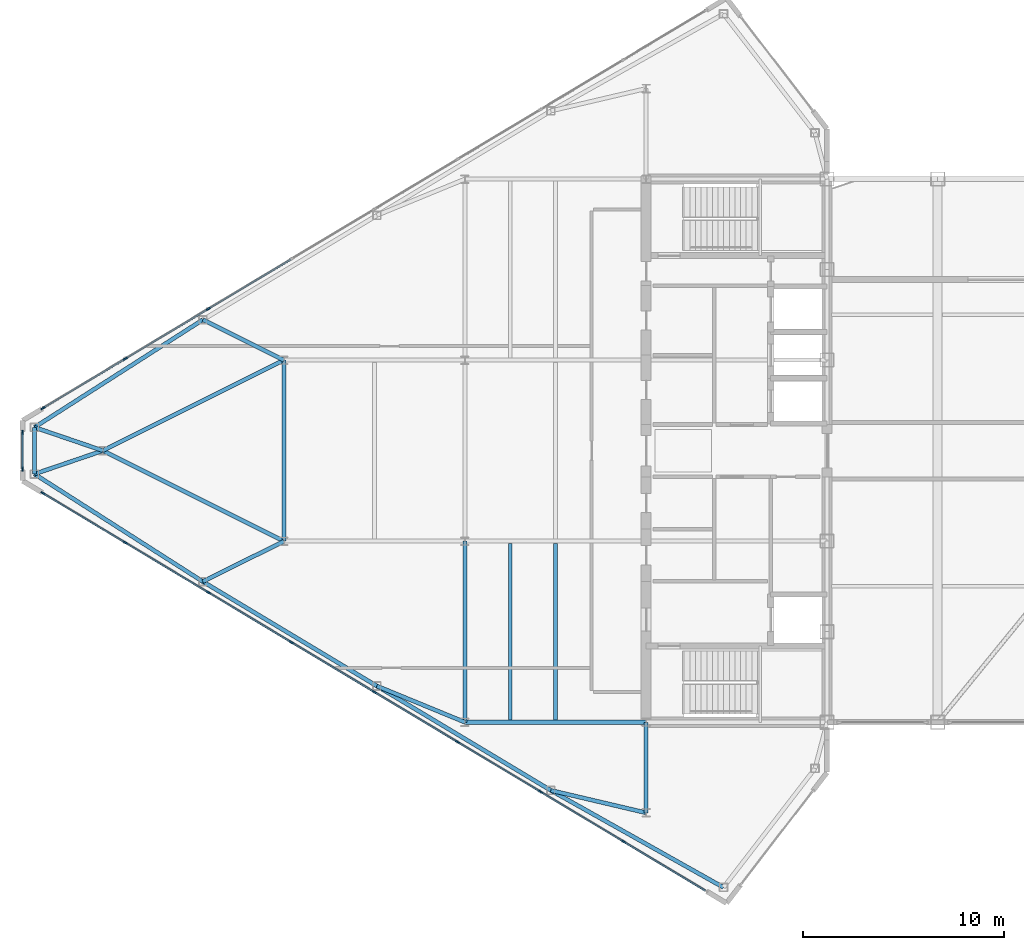
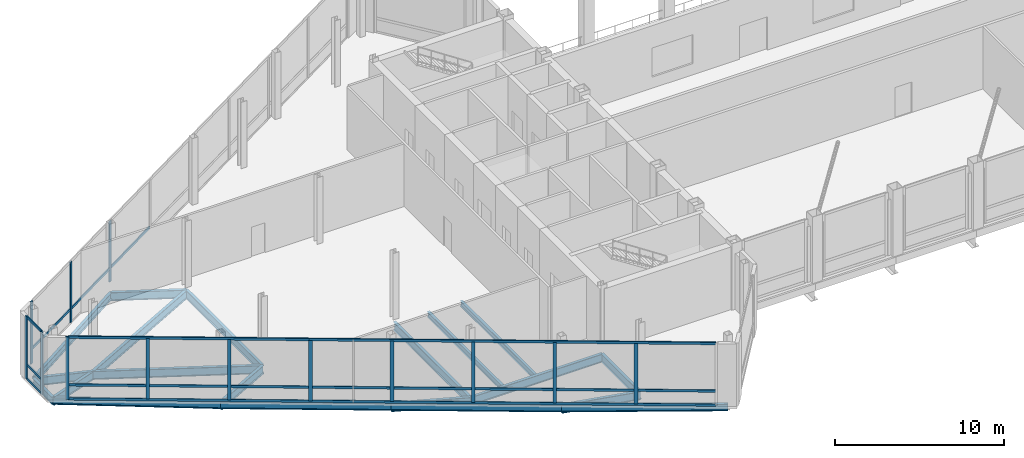
# One storey, part 8 of 28: 29 members, 20 beams, 3 elements without a shape of their own.
"""IFC4 building model written with IfcOpenShell, lengths in metres."""

from ifc_helpers import new_model, si_unit, direction, frame, origin, origin_2d, place, context, subcontext, project, spatial, rectangle, i_section, extrude, source, transform, mapped, material, layer, layer_set, material_profile, profile_set, type_object, type_shapes, element, aggregate, save


model = new_model("IFC4")

# Units and contexts
model_context = context("Model", 3, precision=1e-05, world=origin(), true_north=direction((0.0, 1.0)))
body_context = subcontext(model_context, "Body", "Model", "MODEL_VIEW")
ifc_project = project(units=[si_unit("LENGTHUNIT", "METRE"), si_unit("AREAUNIT", "SQUARE_METRE"), si_unit("VOLUMEUNIT", "CUBIC_METRE"), si_unit("PLANEANGLEUNIT", "RADIAN"), si_unit("MASSUNIT", "GRAM", prefix="KILO")], contexts=[model_context])

# Site, building, storey
site_placement = place(None, origin())
site = spatial("IfcSite", under=ifc_project, at=site_placement, CompositionType="ELEMENT")
building_placement = place(site_placement, origin())
building = spatial("IfcBuilding", under=site, at=building_placement, Name="Seokmaru Belvedere", CompositionType="ELEMENT")
storey_placement = place(building_placement, frame((0.0, 0.0, 274.199951171875)))
storey = spatial("IfcBuildingStorey", under=building, at=storey_placement, Name="L72", CompositionType="ELEMENT", Elevation=274.199951171875)

# Beams
ifc_material_1 = material(Name="Steel SM355 (355 MPa)", Category="steel")
ifc_material_profile_1 = material_profile(ifc_material_1, i_section(OverallWidth=0.199951171875, OverallDepth=0.60009765625, WebThickness=0.010986328125, FlangeThickness=0.01708984375, at=origin_2d()), Name="H-600x200x11x17")
ifc_profile_set_1 = profile_set([ifc_material_profile_1], Name="Steel SM355 (355 MPa)")
beam_type_1 = type_object("IfcBeamType", Name="Primary Floor Girder H-600", PredefinedType="BEAM", material=ifc_profile_set_1)
shared_shape_1 = source(origin(), body_context, "Body", "SweptSolid", [
    extrude(i_section(OverallWidth=0.199951171875, OverallDepth=0.60009765625, WebThickness=0.010986328125, FlangeThickness=0.01708984375, at=origin_2d()), origin(), (0.0, 0.0, 1.0), 9.0),
])
for number, where, z_axis, x_axis, name in (
    (1, (-45.5, -13.5, -0.56005859375), (0.0, 1.0, 0.0), (-1.0, 0.0, 0.0), "L72 W Interior Grid Girder 1"),
    (2, (-45.5, -13.5, -0.56005859375), (1.0, 0.0, 0.0), (0.0, 1.0, 0.0), "L72 W Wing Primary Girder 1"),
    (3, (-54.5, -4.5, -0.56005859375), (0.0, 1.0, 0.0), (-1.0, 0.0, 0.0), "L72 W Apex Frame Girder"),
):
    element("IfcBeam", number, at=place(storey_placement, frame(where, z_axis=z_axis, x_axis=x_axis)), inside=storey, type_object=beam_type_1, Name=name, PredefinedType="BEAM", context=body_context, shape_type="MappedRepresentation", body=[
        mapped(shared_shape_1, transform((0.0, 0.0, 0.0), scale=1.0)),
    ])
shared_shape_2 = source(origin(), body_context, "Body", "SweptSolid", [
    extrude(i_section(OverallWidth=0.199951171875, OverallDepth=0.60009765625, WebThickness=0.010986328125, FlangeThickness=0.01708984375, at=origin_2d()), origin(), (0.0, 0.0, 1.0), 10.062255859375),
])
for number, where, z_axis, x_axis, name in (
    (4, (-54.5, -4.5, -0.56005859375), (-0.894427191, 0.4472135955, 0.0), (-0.4472135955, -0.894427191, 0.0), "L72 W Apex Converging Girder 1"),
    (5, (-54.5, 4.5, -0.56005859375), (-0.894427191, -0.4472135955, 0.0), (0.4472135955, -0.894427191, 0.0), "L72 W Apex Converging Girder 2"),
):
    element("IfcBeam", number, at=place(storey_placement, frame(where, z_axis=z_axis, x_axis=x_axis)), inside=storey, type_object=beam_type_1, Name=name, PredefinedType="BEAM", context=body_context, shape_type="MappedRepresentation", body=[
        mapped(shared_shape_2, transform((0.0, 0.0, 0.0), scale=1.0)),
    ])
ifc_material_profile_2 = material_profile(ifc_material_1, i_section(OverallWidth=0.18505859375, OverallDepth=0.389892578125, WebThickness=0.008056640625, FlangeThickness=0.011962890625, at=origin_2d()), Name="H-390x185x8x12")
ifc_profile_set_2 = profile_set([ifc_material_profile_2], Name="Steel SM355 (355 MPa)")
beam_type_2 = type_object("IfcBeamType", Name="Secondary Floor Joist H-350", PredefinedType="JOIST", material=ifc_profile_set_2)
shared_shape_3 = source(origin(), body_context, "Body", "SweptSolid", [
    extrude(i_section(OverallWidth=0.18505859375, OverallDepth=0.389892578125, WebThickness=0.008056640625, FlangeThickness=0.011962890625, at=origin_2d()), origin(), (0.0, 0.0, 1.0), 8.7900390625),
])
type_shapes(beam_type_2, [shared_shape_3])
for number, where, z_axis, x_axis, name in (
    (6, (-43.25, -13.39501953125, -0.454833984375), (0.0, 1.0, 0.0), (-1.0, 0.0, 0.0), "L72 W Wing Inner Secondary Joist 1"),
    (7, (-41.0, -13.39501953125, -0.454833984375), (0.0, 1.0, 0.0), (-1.0, 0.0, 0.0), "L72 W Secondary Floor Joist 1"),
):
    element("IfcBeam", number, at=place(storey_placement, frame(where, z_axis=z_axis, x_axis=x_axis)), inside=storey, type_object=beam_type_2, Name=name, PredefinedType="JOIST", context=body_context, shape_type="MappedRepresentation", body=[
        mapped(shared_shape_3, transform((0.0, 0.0, 0.0), scale=1.0)),
    ])
shared_shape_4 = source(origin(), body_context, "Body", "SweptSolid", [
    extrude(i_section(OverallWidth=0.199951171875, OverallDepth=0.60009765625, WebThickness=0.010986328125, FlangeThickness=0.01708984375, at=origin_2d()), origin(), (0.0, 0.0, 1.0), 4.5),
])
beam_1_placement = place(storey_placement, frame((-36.5, -18.0, -0.56005859375), z_axis=(0.0, 1.0, 0.0), x_axis=(-1.0, 0.0, 0.0)))
element("IfcBeam", 8, at=beam_1_placement, inside=storey, type_object=beam_type_1, Name="L72 W Core Shoulder Girder S", PredefinedType="BEAM", context=body_context, shape_type="MappedRepresentation", body=[
    mapped(shared_shape_4, transform((0.0, 0.0, 0.0), scale=1.0)),
])
ifc_material_profile_3 = material_profile(ifc_material_1, i_section(OverallWidth=0.199951171875, OverallDepth=0.5, WebThickness=0.010009765625, FlangeThickness=0.01611328125, at=origin_2d()), Name="H-500x200x10x16")
ifc_profile_set_3 = profile_set([ifc_material_profile_3], Name="Steel SM355 (355 MPa)")
beam_type_3 = type_object("IfcBeamType", Name="Perimeter Spandrel Beam H-500", PredefinedType="SPANDREL", material=ifc_profile_set_3)
shared_shape_5 = source(origin(), body_context, "Body", "SweptSolid", [
    extrude(i_section(OverallWidth=0.199951171875, OverallDepth=0.5, WebThickness=0.010009765625, FlangeThickness=0.01611328125, at=origin_2d()), origin(), (0.0, 0.0, 1.0), 9.842041015625),
])
beam_2_placement = place(storey_placement, frame((-32.649658203125, -21.71044921875, -0.510009765625), z_axis=(-0.871782151818, 0.489893743349, 0.0), x_axis=(-0.489893743349, -0.871782151818, 0.0)))
element("IfcBeam", 9, at=beam_2_placement, inside=storey, type_object=beam_type_3, Name="L72 W Faceted Flank Spandrel S-1", PredefinedType="SPANDREL", context=body_context, shape_type="MappedRepresentation", body=[
    mapped(shared_shape_5, transform((0.0, 0.0, 0.0), scale=1.0)),
])
shared_shape_6 = source(origin(), body_context, "Body", "SweptSolid", [
    extrude(i_section(OverallWidth=0.199951171875, OverallDepth=0.5, WebThickness=0.010009765625, FlangeThickness=0.01611328125, at=origin_2d()), origin(), (0.0, 0.0, 1.0), 10.087646484375),
])
for number, where, z_axis, x_axis, name in (
    (10, (-41.229736328125, -16.888916015625, -0.510009765625), (-0.857499332045, 0.514485078056, 0.0), (-0.514485078056, -0.857499332045, 0.0), "L72 W Faceted Flank Spandrel S-2"),
    (11, (-49.8798828125, -11.698974609375, -0.510009765625), (-0.857488654804, 0.514502873542, 0.0), (-0.514502873542, -0.857488654804, 0.0), "L72 W Faceted Flank Spandrel S-3"),
):
    element("IfcBeam", number, at=place(storey_placement, frame(where, z_axis=z_axis, x_axis=x_axis)), inside=storey, type_object=beam_type_3, Name=name, PredefinedType="SPANDREL", context=body_context, shape_type="MappedRepresentation", body=[
        mapped(shared_shape_6, transform((0.0, 0.0, 0.0), scale=1.0)),
    ])
shared_shape_7 = source(origin(), body_context, "Body", "SweptSolid", [
    extrude(i_section(OverallWidth=0.199951171875, OverallDepth=0.5, WebThickness=0.010009765625, FlangeThickness=0.01611328125, at=origin_2d()), origin(), (0.0, 0.0, 1.0), 9.932861328125),
])
for number, where, z_axis, x_axis, name in (
    (12, (-58.530029296875, -6.5087890625, -0.510009765625), (-0.842651960357, 0.538458609093, 0.0), (-0.538458609093, -0.842651960357, 0.0), "L72 W Faceted Flank Spandrel S-4"),
    (13, (-58.530029296875, 6.5087890625, -0.510009765625), (-0.842651960357, -0.538458609093, 0.0), (0.538458609093, -0.842651960357, 0.0), "L72 W Faceted Flank Spandrel N-4"),
):
    element("IfcBeam", number, at=place(storey_placement, frame(where, z_axis=z_axis, x_axis=x_axis)), inside=storey, type_object=beam_type_3, Name=name, PredefinedType="SPANDREL", context=body_context, shape_type="MappedRepresentation", body=[
        mapped(shared_shape_7, transform((0.0, 0.0, 0.0), scale=1.0)),
    ])
shared_shape_8 = source(origin(), body_context, "Body", "SweptSolid", [
    extrude(i_section(OverallWidth=0.199951171875, OverallDepth=0.5, WebThickness=0.010009765625, FlangeThickness=0.01611328125, at=origin_2d()), origin(), (0.0, 0.0, 1.0), 2.32080078125),
])
type_shapes(beam_type_3, [shared_shape_5, shared_shape_6, shared_shape_7, shared_shape_8])
beam_3_placement = place(storey_placement, frame((-66.89990234375, -1.160400390625, -0.510009765625), z_axis=(0.0, 1.0, 0.0), x_axis=(-1.0, 0.0, 0.0)))
element("IfcBeam", 14, at=beam_3_placement, inside=storey, type_object=beam_type_3, Name="L72 W Faceted Apex Spandrel", PredefinedType="SPANDREL", context=body_context, shape_type="MappedRepresentation", body=[
    mapped(shared_shape_8, transform((0.0, 0.0, 0.0), scale=1.0)),
])
shared_shape_9 = source(origin(), body_context, "Body", "SweptSolid", [
    extrude(i_section(OverallWidth=0.199951171875, OverallDepth=0.60009765625, WebThickness=0.010986328125, FlangeThickness=0.01708984375, at=origin_2d()), origin(), (0.0, 0.0, 1.0), 4.8583984375),
])
beam_4_placement = place(storey_placement, frame((-41.229736328125, -16.888916015625, -0.56005859375), z_axis=(0.97349948295, -0.228689214211, 0.0), x_axis=(0.228689214211, 0.97349948295, 0.0)))
element("IfcBeam", 15, at=beam_4_placement, inside=storey, type_object=beam_type_1, Name="L72 W Flank Radial Floor Girder S-1", PredefinedType="BEAM", context=body_context, shape_type="MappedRepresentation", body=[
    mapped(shared_shape_9, transform((0.0, 0.0, 0.0), scale=1.0)),
])
shared_shape_10 = source(origin(), body_context, "Body", "SweptSolid", [
    extrude(i_section(OverallWidth=0.199951171875, OverallDepth=0.60009765625, WebThickness=0.010986328125, FlangeThickness=0.01708984375, at=origin_2d()), origin(), (0.0, 0.0, 1.0), 4.73583984375),
])
beam_5_placement = place(storey_placement, frame((-49.8798828125, -11.698974609375, -0.56005859375), z_axis=(0.924860562953, -0.380306375301, 0.0), x_axis=(0.380306375301, 0.924860562953, 0.0)))
element("IfcBeam", 16, at=beam_5_placement, inside=storey, type_object=beam_type_1, Name="L72 W Flank Radial Floor Girder S-2", PredefinedType="BEAM", context=body_context, shape_type="MappedRepresentation", body=[
    mapped(shared_shape_10, transform((0.0, 0.0, 0.0), scale=1.0)),
])
shared_shape_11 = source(origin(), body_context, "Body", "SweptSolid", [
    extrude(i_section(OverallWidth=0.199951171875, OverallDepth=0.60009765625, WebThickness=0.010986328125, FlangeThickness=0.01708984375, at=origin_2d()), origin(), (0.0, 0.0, 1.0), 4.5029296875),
])
for number, where, z_axis, x_axis, name in (
    (17, (-58.530029296875, -6.5087890625, -0.56005859375), (0.894979532585, 0.446107202648, 0.0), (-0.446107202648, 0.894979532585, 0.0), "L72 W Flank Radial Floor Girder S-3"),
    (18, (-58.530029296875, 6.5087890625, -0.56005859375), (0.894979532585, -0.446107202648, 0.0), (0.446107202648, 0.894979532585, 0.0), "L72 W Flank Radial Floor Girder N-3"),
):
    element("IfcBeam", number, at=place(storey_placement, frame(where, z_axis=z_axis, x_axis=x_axis)), inside=storey, type_object=beam_type_1, Name=name, PredefinedType="BEAM", context=body_context, shape_type="MappedRepresentation", body=[
        mapped(shared_shape_11, transform((0.0, 0.0, 0.0), scale=1.0)),
    ])
shared_shape_12 = source(origin(), body_context, "Body", "SweptSolid", [
    extrude(i_section(OverallWidth=0.199951171875, OverallDepth=0.60009765625, WebThickness=0.010986328125, FlangeThickness=0.01708984375, at=origin_2d()), origin(), (0.0, 0.0, 1.0), 3.592529296875),
])
type_shapes(beam_type_1, [shared_shape_1, shared_shape_2, shared_shape_4, shared_shape_9, shared_shape_10, shared_shape_11, shared_shape_12])
for number, where, z_axis, x_axis, name in (
    (19, (-66.89990234375, -1.160400390625, -0.56005859375), (0.946395973048, 0.323008764893, 0.0), (-0.323008764893, 0.946395973048, 0.0), "L72 W Apex Radial Floor Girder 1"),
    (20, (-66.89990234375, 1.160400390625, -0.56005859375), (0.946395973048, -0.323008764893, 0.0), (0.323008764893, 0.946395973048, 0.0), "L72 W Apex Radial Floor Girder 2"),
):
    element("IfcBeam", number, at=place(storey_placement, frame(where, z_axis=z_axis, x_axis=x_axis)), inside=storey, type_object=beam_type_1, Name=name, PredefinedType="BEAM", context=body_context, shape_type="MappedRepresentation", body=[
        mapped(shared_shape_12, transform((0.0, 0.0, 0.0), scale=1.0)),
    ])

# Curtain wall, members
ifc_material_2 = material(Name="Bronze Triple Insulating Glass", Category="glass")
ifc_layer = layer(ifc_material_2, 0.219970703125)
ifc_layer_set = layer_set([ifc_layer], Name="Bronze Triple Insulating Glass")
curtain_wall_type = type_object("IfcCurtainWallType", Name="Sky-Gate Bridge Panorama Curtain Wall System CW-6", PredefinedType="NOTDEFINED", material=ifc_layer_set)
curtain_wall_1_placement = place(storey_placement, origin())
curtain_wall_1 = element("IfcCurtainWall", 21, at=curtain_wall_1_placement, inside=storey, type_object=curtain_wall_type, Name="L72 Curtain Wall WF5", PredefinedType="NOTDEFINED")
ifc_material_3 = material(Name="Anodised Bronze Aluminium", Category="aluminium")
ifc_material_profile_4 = material_profile(ifc_material_3, rectangle(XDim=0.074951171875, YDim=0.179931640625, at=origin_2d()), Name="CW-T-75x180")
ifc_profile_set_4 = profile_set([ifc_material_profile_4], Name="Anodised Bronze Aluminium")
member_type_1 = type_object("IfcMemberType", Name="Bronze Unitised Transom 75x180", PredefinedType="USERDEFINED", material=ifc_profile_set_4)
shared_shape_13 = source(origin(), body_context, "Body", "SweptSolid", [
    extrude(rectangle(XDim=0.074951171875, YDim=0.179931640625, at=origin_2d()), origin(), (0.0, 0.0, 1.0), 38.356689453125),
])
member_1_placement = place(storey_placement, frame((-66.4453125, -2.1328125, 0.03759765625), z_axis=(0.857492925713, -0.514495755428, 0.0), x_axis=(0.514495755428, 0.857492925713, 0.0)))
member_1 = element("IfcMember", 22, at=member_1_placement, type_object=member_type_1, Name="CW:L72:WF5 Continuous Transom 1", ObjectType="TRANSOM", PredefinedType="USERDEFINED", context=body_context, shape_type="MappedRepresentation", body=[
    mapped(shared_shape_13, transform((0.0, 0.0, 0.0), scale=1.0)),
])
member_2_placement = place(storey_placement, frame((-66.4453125, -2.1328125, 4.482666015625), z_axis=(0.857492925713, -0.514495755428, 0.0), x_axis=(0.514495755428, 0.857492925713, 0.0)))
member_2 = element("IfcMember", 23, at=member_2_placement, type_object=member_type_1, Name="CW:L72:WF5 Continuous Transom 2", ObjectType="TRANSOM", PredefinedType="USERDEFINED", context=body_context, shape_type="MappedRepresentation", body=[
    mapped(shared_shape_13, transform((0.0, 0.0, 0.0), scale=1.0)),
])

# Curtain wall, member
curtain_wall_2_placement = place(storey_placement, origin())
curtain_wall_2 = element("IfcCurtainWall", 24, at=curtain_wall_2_placement, inside=storey, type_object=curtain_wall_type, Name="L72 Curtain Wall WF3", PredefinedType="NOTDEFINED")
shared_shape_14 = source(origin(), body_context, "Body", "SweptSolid", [
    extrude(rectangle(XDim=0.074951171875, YDim=0.179931640625, at=origin_2d()), origin(), (0.0, 0.0, 1.0), 4.694580078125),
])
member_3_placement = place(storey_placement, frame((-62.419677734375, 4.548095703125, 1.050048828125), z_axis=(-0.85750210284, -0.514480459906, 0.0), x_axis=(0.514480459906, -0.85750210284, 0.0)))
member_3 = element("IfcMember", 25, at=member_3_placement, type_object=member_type_1, Name="CW:L72:WF3 Spandrel Transom 8", ObjectType="TRANSOM", PredefinedType="USERDEFINED", context=body_context, shape_type="MappedRepresentation", body=[
    mapped(shared_shape_14, transform((0.0, 0.0, 0.0), scale=1.0)),
])

# Member
member_4_placement = place(storey_placement, frame((-66.4453125, -2.1328125, 1.050048828125), z_axis=(0.85750210284, -0.514480459906, 0.0), x_axis=(0.514480459906, 0.85750210284, 0.0)))
member_4 = element("IfcMember", 26, at=member_4_placement, type_object=member_type_1, Name="CW:L72:WF5 Spandrel Transom 1", ObjectType="TRANSOM", PredefinedType="USERDEFINED", context=body_context, shape_type="MappedRepresentation", body=[
    mapped(shared_shape_14, transform((0.0, 0.0, 0.0), scale=1.0)),
])

member_5_placement = place(storey_placement, frame((-37.580322265625, -19.451904296875, 1.050048828125), z_axis=(0.85750210284, -0.514480459906, 0.0), x_axis=(0.514480459906, 0.85750210284, 0.0)))
member_5 = element("IfcMember", 27, at=member_5_placement, type_object=member_type_1, Name="CW:L72:WF5 Spandrel Transom 8", ObjectType="TRANSOM", PredefinedType="USERDEFINED", context=body_context, shape_type="MappedRepresentation", body=[
    mapped(shared_shape_14, transform((0.0, 0.0, 0.0), scale=1.0)),
])

shared_shape_15 = source(origin(), body_context, "Body", "SweptSolid", [
    extrude(rectangle(XDim=0.074951171875, YDim=0.179931640625, at=origin_2d()), origin(), (0.0, 0.0, 1.0), 4.734619140625),
])
member_6_placement = place(storey_placement, frame((-58.291259765625, 7.025390625, 1.050048828125), z_axis=(-0.857479275774, -0.514518504641, 0.0), x_axis=(0.514518504641, -0.857479275774, 0.0)))
member_6 = element("IfcMember", 28, at=member_6_placement, type_object=member_type_1, Name="CW:L72:WF3 Spandrel Transom 7", ObjectType="TRANSOM", PredefinedType="USERDEFINED", context=body_context, shape_type="MappedRepresentation", body=[
    mapped(shared_shape_15, transform((0.0, 0.0, 0.0), scale=1.0)),
])

member_7_placement = place(storey_placement, frame((-62.35107421875, -4.58935546875, 1.050048828125), z_axis=(0.857479275774, -0.514518504641, 0.0), x_axis=(0.514518504641, 0.857479275774, 0.0)))
member_7 = element("IfcMember", 29, at=member_7_placement, type_object=member_type_1, Name="CW:L72:WF5 Spandrel Transom 2", ObjectType="TRANSOM", PredefinedType="USERDEFINED", context=body_context, shape_type="MappedRepresentation", body=[
    mapped(shared_shape_15, transform((0.0, 0.0, 0.0), scale=1.0)),
])

member_8_placement = place(storey_placement, frame((-41.708740234375, -16.974609375, 1.050048828125), z_axis=(0.857479275774, -0.514518504641, 0.0), x_axis=(0.514518504641, 0.857479275774, 0.0)))
member_8 = element("IfcMember", 30, at=member_8_placement, type_object=member_type_1, Name="CW:L72:WF5 Spandrel Transom 7", ObjectType="TRANSOM", PredefinedType="USERDEFINED", context=body_context, shape_type="MappedRepresentation", body=[
    mapped(shared_shape_15, transform((0.0, 0.0, 0.0), scale=1.0)),
])

shared_shape_16 = source(origin(), body_context, "Body", "SweptSolid", [
    extrude(rectangle(XDim=0.074951171875, YDim=0.179931640625, at=origin_2d()), origin(), (0.0, 0.0, 1.0), 4.734375),
])
member_9_placement = place(storey_placement, frame((-54.162841796875, 9.502197265625, 1.050048828125), z_axis=(-0.857502025578, -0.514480588682, 0.0), x_axis=(0.514480588682, -0.857502025578, 0.0)))
member_9 = element("IfcMember", 31, at=member_9_placement, type_object=member_type_1, Name="CW:L72:WF3 Spandrel Transom 6", ObjectType="TRANSOM", PredefinedType="USERDEFINED", context=body_context, shape_type="MappedRepresentation", body=[
    mapped(shared_shape_16, transform((0.0, 0.0, 0.0), scale=1.0)),
])

member_10_placement = place(storey_placement, frame((-58.22265625, -7.06640625, 1.050048828125), z_axis=(0.857502025578, -0.514480588682, 0.0), x_axis=(0.514480588682, 0.857502025578, 0.0)))
member_10 = element("IfcMember", 32, at=member_10_placement, type_object=member_type_1, Name="CW:L72:WF5 Spandrel Transom 3", ObjectType="TRANSOM", PredefinedType="USERDEFINED", context=body_context, shape_type="MappedRepresentation", body=[
    mapped(shared_shape_16, transform((0.0, 0.0, 0.0), scale=1.0)),
])

member_11_placement = place(storey_placement, frame((-45.837158203125, -14.497802734375, 1.050048828125), z_axis=(0.857502025578, -0.514480588682, 0.0), x_axis=(0.514480588682, 0.857502025578, 0.0)))
member_11 = element("IfcMember", 33, at=member_11_placement, type_object=member_type_1, Name="CW:L72:WF5 Spandrel Transom 6", ObjectType="TRANSOM", PredefinedType="USERDEFINED", context=body_context, shape_type="MappedRepresentation", body=[
    mapped(shared_shape_16, transform((0.0, 0.0, 0.0), scale=1.0)),
])

shared_shape_17 = source(origin(), body_context, "Body", "SweptSolid", [
    extrude(rectangle(XDim=0.074951171875, YDim=0.179931640625, at=origin_2d()), origin(), (0.0, 0.0, 1.0), 4.73486328125),
])
member_12_placement = place(storey_placement, frame((-54.09423828125, -9.54345703125, 1.050048828125), z_axis=(0.857492925713, -0.514495755428, 0.0), x_axis=(0.514495755428, 0.857492925713, 0.0)))
member_12 = element("IfcMember", 34, at=member_12_placement, type_object=member_type_1, Name="CW:L72:WF5 Spandrel Transom 4", ObjectType="TRANSOM", PredefinedType="USERDEFINED", context=body_context, shape_type="MappedRepresentation", body=[
    mapped(shared_shape_17, transform((0.0, 0.0, 0.0), scale=1.0)),
])

member_13_placement = place(storey_placement, frame((-49.9658203125, -12.0205078125, 1.050048828125), z_axis=(0.857492925713, -0.514495755428, 0.0), x_axis=(0.514495755428, 0.857492925713, 0.0)))
member_13 = element("IfcMember", 35, at=member_13_placement, type_object=member_type_1, Name="CW:L72:WF5 Spandrel Transom 5", ObjectType="TRANSOM", PredefinedType="USERDEFINED", context=body_context, shape_type="MappedRepresentation", body=[
    mapped(shared_shape_17, transform((0.0, 0.0, 0.0), scale=1.0)),
])

# Curtain wall, members
curtain_wall_3_placement = place(storey_placement, origin())
curtain_wall_3 = element("IfcCurtainWall", 36, at=curtain_wall_3_placement, inside=storey, type_object=curtain_wall_type, Name="L72 Curtain Wall WF4", PredefinedType="NOTDEFINED")
shared_shape_18 = source(origin(), body_context, "Body", "SweptSolid", [
    extrude(rectangle(XDim=0.074951171875, YDim=0.179931640625, at=origin_2d()), origin(), (0.0, 0.0, 1.0), 1.740234375),
])
type_shapes(member_type_1, [shared_shape_13, shared_shape_14, shared_shape_15, shared_shape_16, shared_shape_17, shared_shape_18])
member_14_placement = place(storey_placement, frame((-67.5, 0.8701171875, 0.03759765625), z_axis=(0.0, -1.0, 0.0), x_axis=(1.0, 0.0, 0.0)))
member_14 = element("IfcMember", 37, at=member_14_placement, type_object=member_type_1, Name="CW:L72:WF4 Continuous Transom 1", ObjectType="TRANSOM", PredefinedType="USERDEFINED", context=body_context, shape_type="MappedRepresentation", body=[
    mapped(shared_shape_18, transform((0.0, 0.0, 0.0), scale=1.0)),
])
member_15_placement = place(storey_placement, frame((-67.5, 0.8701171875, 4.482666015625), z_axis=(0.0, -1.0, 0.0), x_axis=(1.0, 0.0, 0.0)))
member_15 = element("IfcMember", 38, at=member_15_placement, type_object=member_type_1, Name="CW:L72:WF4 Continuous Transom 2", ObjectType="TRANSOM", PredefinedType="USERDEFINED", context=body_context, shape_type="MappedRepresentation", body=[
    mapped(shared_shape_18, transform((0.0, 0.0, 0.0), scale=1.0)),
])
member_16_placement = place(storey_placement, frame((-67.5, 0.8701171875, 1.050048828125), z_axis=(0.0, -1.0, 0.0), x_axis=(1.0, 0.0, 0.0)))
member_16 = element("IfcMember", 39, at=member_16_placement, type_object=member_type_1, Name="CW:L72:WF4 Spandrel Transom 1", ObjectType="TRANSOM", PredefinedType="USERDEFINED", context=body_context, shape_type="MappedRepresentation", body=[
    mapped(shared_shape_18, transform((0.0, 0.0, 0.0), scale=1.0)),
])

# Member
ifc_material_profile_5 = material_profile(ifc_material_3, rectangle(XDim=0.080078125, YDim=0.219970703125, at=origin_2d()), Name="CW-M-80x220")
ifc_profile_set_5 = profile_set([ifc_material_profile_5], Name="Anodised Bronze Aluminium")
member_type_2 = type_object("IfcMemberType", Name="Bronze Unitised Mullion 80x220", PredefinedType="MULLION", material=ifc_profile_set_5)
shared_shape_19 = source(origin(), body_context, "Body", "SweptSolid", [
    extrude(rectangle(XDim=0.080078125, YDim=0.219970703125, at=origin_2d()), origin(), (0.0, 0.0, 1.0), 4.52001953125),
])
member_17_placement = place(storey_placement, frame((-66.4794921875, 2.1123046875, 0.0), z_axis=(0.0, 0.0, 1.0), x_axis=(0.514494909364, -0.85749343335, 0.0)))
member_17 = element("IfcMember", 40, at=member_17_placement, type_object=member_type_2, Name="CW:L72:WF3 Mullion 9", PredefinedType="MULLION", context=body_context, shape_type="MappedRepresentation", body=[
    mapped(shared_shape_19, transform((0.0, 0.0, 0.0), scale=1.0)),
])

member_18_placement = place(storey_placement, frame((-67.5, 0.909912109375, 0.0), z_axis=(0.0, 0.0, 1.0), x_axis=(1.0, 0.0, 0.0)))
member_18 = element("IfcMember", 41, at=member_18_placement, type_object=member_type_2, Name="CW:L72:WF4 Mullion 1", PredefinedType="MULLION", context=body_context, shape_type="MappedRepresentation", body=[
    mapped(shared_shape_19, transform((0.0, 0.0, 0.0), scale=1.0)),
])

member_19_placement = place(storey_placement, frame((-67.5, -0.909912109375, 0.0), z_axis=(0.0, 0.0, 1.0), x_axis=(1.0, 0.0, 0.0)))
member_19 = element("IfcMember", 42, at=member_19_placement, type_object=member_type_2, Name="CW:L72:WF4 Mullion 2", PredefinedType="MULLION", context=body_context, shape_type="MappedRepresentation", body=[
    mapped(shared_shape_19, transform((0.0, 0.0, 0.0), scale=1.0)),
])

aggregate(curtain_wall_3, [member_18, member_19, member_14, member_15, member_16])

member_20_placement = place(storey_placement, frame((-66.4794921875, -2.1123046875, 0.0), z_axis=(0.0, 0.0, 1.0), x_axis=(0.514494909364, 0.85749343335, 0.0)))
member_20 = element("IfcMember", 43, at=member_20_placement, type_object=member_type_2, Name="CW:L72:WF5 Mullion 1", PredefinedType="MULLION", context=body_context, shape_type="MappedRepresentation", body=[
    mapped(shared_shape_19, transform((0.0, 0.0, 0.0), scale=1.0)),
])

shared_shape_20 = source(origin(), body_context, "Body", "SweptSolid", [
    extrude(rectangle(XDim=0.080078125, YDim=0.219970703125, at=origin_2d()), origin(), (0.0, 0.0, 1.0), 4.3701171875),
])
type_shapes(member_type_2, [shared_shape_19, shared_shape_20])
member_21_placement = place(storey_placement, frame((-58.257080078125, 7.0458984375, 0.074951171875), z_axis=(0.0, 0.0, 1.0), x_axis=(0.514494909364, -0.85749343335, 0.0)))
member_21 = element("IfcMember", 44, at=member_21_placement, type_object=member_type_2, Name="CW:L72:WF3 Mullion 7", PredefinedType="MULLION", context=body_context, shape_type="MappedRepresentation", body=[
    mapped(shared_shape_20, transform((0.0, 0.0, 0.0), scale=1.0)),
])

member_22_placement = place(storey_placement, frame((-62.385498046875, 4.56884765625, 0.074951171875), z_axis=(0.0, 0.0, 1.0), x_axis=(0.514494909364, -0.85749343335, 0.0)))
member_22 = element("IfcMember", 45, at=member_22_placement, type_object=member_type_2, Name="CW:L72:WF3 Mullion 8", PredefinedType="MULLION", context=body_context, shape_type="MappedRepresentation", body=[
    mapped(shared_shape_20, transform((0.0, 0.0, 0.0), scale=1.0)),
])

aggregate(curtain_wall_2, [member_21, member_22, member_17, member_9, member_6, member_3])

member_23_placement = place(storey_placement, frame((-62.385498046875, -4.56884765625, 0.074951171875), z_axis=(0.0, 0.0, 1.0), x_axis=(0.514494909364, 0.85749343335, 0.0)))
member_23 = element("IfcMember", 46, at=member_23_placement, type_object=member_type_2, Name="CW:L72:WF5 Mullion 2", PredefinedType="MULLION", context=body_context, shape_type="MappedRepresentation", body=[
    mapped(shared_shape_20, transform((0.0, 0.0, 0.0), scale=1.0)),
])

member_24_placement = place(storey_placement, frame((-58.257080078125, -7.0458984375, 0.074951171875), z_axis=(0.0, 0.0, 1.0), x_axis=(0.514494909364, 0.85749343335, 0.0)))
member_24 = element("IfcMember", 47, at=member_24_placement, type_object=member_type_2, Name="CW:L72:WF5 Mullion 3", PredefinedType="MULLION", context=body_context, shape_type="MappedRepresentation", body=[
    mapped(shared_shape_20, transform((0.0, 0.0, 0.0), scale=1.0)),
])

member_25_placement = place(storey_placement, frame((-54.12841796875, -9.52294921875, 0.074951171875), z_axis=(0.0, 0.0, 1.0), x_axis=(0.514494909364, 0.85749343335, 0.0)))
member_25 = element("IfcMember", 48, at=member_25_placement, type_object=member_type_2, Name="CW:L72:WF5 Mullion 4", PredefinedType="MULLION", context=body_context, shape_type="MappedRepresentation", body=[
    mapped(shared_shape_20, transform((0.0, 0.0, 0.0), scale=1.0)),
])

member_26_placement = place(storey_placement, frame((-50.0, -12.0, 0.074951171875), z_axis=(0.0, 0.0, 1.0), x_axis=(0.514494909364, 0.85749343335, 0.0)))
member_26 = element("IfcMember", 49, at=member_26_placement, type_object=member_type_2, Name="CW:L72:WF5 Mullion 5", PredefinedType="MULLION", context=body_context, shape_type="MappedRepresentation", body=[
    mapped(shared_shape_20, transform((0.0, 0.0, 0.0), scale=1.0)),
])

member_27_placement = place(storey_placement, frame((-45.87158203125, -14.47705078125, 0.074951171875), z_axis=(0.0, 0.0, 1.0), x_axis=(0.514494909364, 0.85749343335, 0.0)))
member_27 = element("IfcMember", 50, at=member_27_placement, type_object=member_type_2, Name="CW:L72:WF5 Mullion 6", PredefinedType="MULLION", context=body_context, shape_type="MappedRepresentation", body=[
    mapped(shared_shape_20, transform((0.0, 0.0, 0.0), scale=1.0)),
])

member_28_placement = place(storey_placement, frame((-41.742919921875, -16.9541015625, 0.074951171875), z_axis=(0.0, 0.0, 1.0), x_axis=(0.514494909364, 0.85749343335, 0.0)))
member_28 = element("IfcMember", 51, at=member_28_placement, type_object=member_type_2, Name="CW:L72:WF5 Mullion 7", PredefinedType="MULLION", context=body_context, shape_type="MappedRepresentation", body=[
    mapped(shared_shape_20, transform((0.0, 0.0, 0.0), scale=1.0)),
])

member_29_placement = place(storey_placement, frame((-37.614501953125, -19.43115234375, 0.074951171875), z_axis=(0.0, 0.0, 1.0), x_axis=(0.514494909364, 0.85749343335, 0.0)))
member_29 = element("IfcMember", 52, at=member_29_placement, type_object=member_type_2, Name="CW:L72:WF5 Mullion 8", PredefinedType="MULLION", context=body_context, shape_type="MappedRepresentation", body=[
    mapped(shared_shape_20, transform((0.0, 0.0, 0.0), scale=1.0)),
])

aggregate(curtain_wall_1, [member_20, member_23, member_24, member_25, member_26, member_27, member_28, member_29, member_1, member_2, member_4, member_7, member_10, member_12, member_13, member_11, member_8, member_5])

save(model, "model.ifc")
